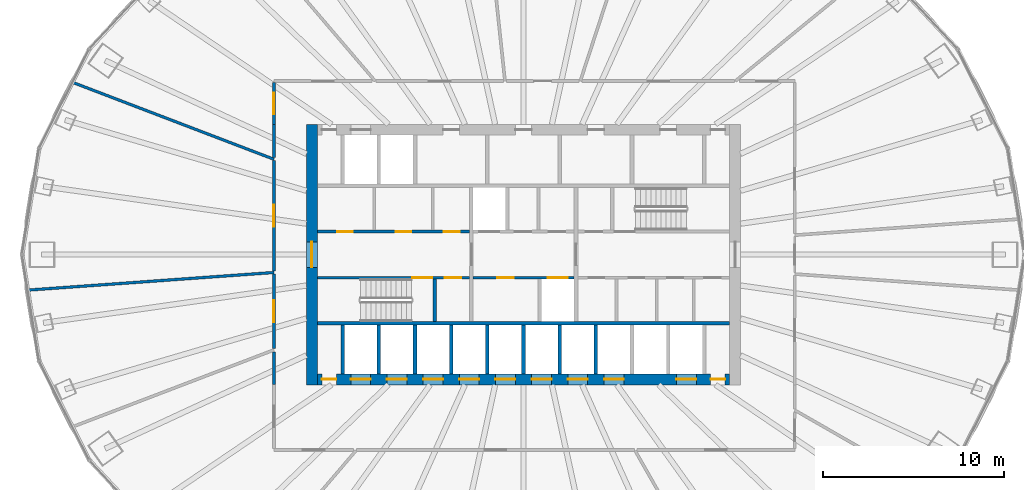
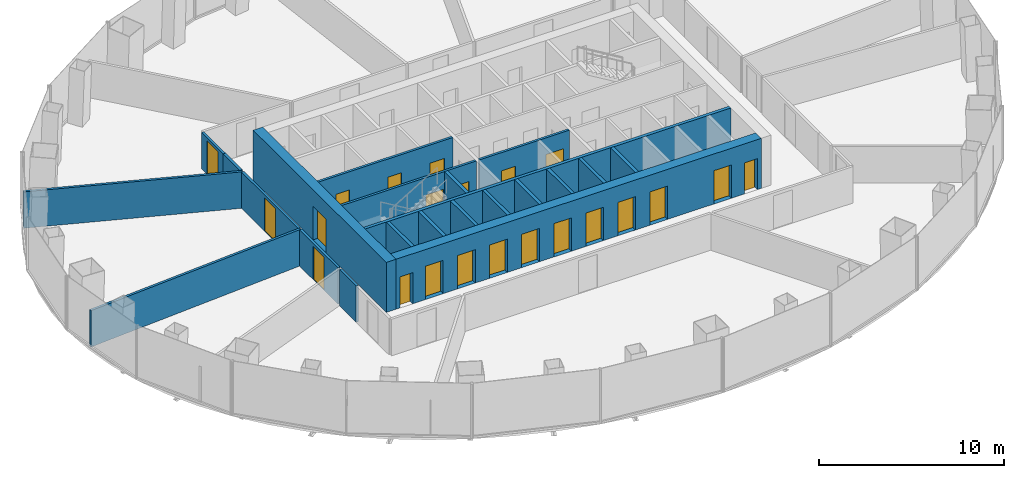
# One storey, part 8 of 11: 22 doors, 22 walls, 22 openings.
"""IFC4 building model written with IfcOpenShell, lengths in metres."""

from ifc_helpers import new_model, si_unit, direction, frame, frame_2d, origin, place, context, subcontext, project, spatial, rectangle, extrude, material, layer, layer_set, type_object, element, fill, save


model = new_model("IFC4")

# Units and contexts
model_context = context("Model", 3, precision=1e-05, world=origin(), true_north=direction((0.0, 1.0)))
body_context = subcontext(model_context, "Body", "Model", "MODEL_VIEW")
ifc_project = project(units=[si_unit("LENGTHUNIT", "METRE"), si_unit("AREAUNIT", "SQUARE_METRE"), si_unit("VOLUMEUNIT", "CUBIC_METRE"), si_unit("PLANEANGLEUNIT", "RADIAN"), si_unit("MASSUNIT", "GRAM", prefix="KILO")], contexts=[model_context])

# Site, building, storey
site_placement = place(None, origin())
site = spatial("IfcSite", under=ifc_project, at=site_placement, CompositionType="ELEMENT")
building_placement = place(site_placement, origin())
building = spatial("IfcBuilding", under=site, at=building_placement, Name="Siaravel Broadcast Tower", CompositionType="ELEMENT")
storey_placement = place(building_placement, frame((0.0, 0.0, 51.89990234375)))
storey = spatial("IfcBuildingStorey", under=building, at=storey_placement, Name="L11", CompositionType="ELEMENT", Elevation=51.89990234375)

# Wall, opening, door
ifc_material_1 = material(Name="Concrete C60/75", Category="concrete")
ifc_layer_1 = layer(ifc_material_1, 0.60009765625)
ifc_layer_set_1 = layer_set([ifc_layer_1], Name="Concrete C60/75")
wall_type_1 = type_object("IfcWallType", Name="Core wall 600", PredefinedType="SHEAR", material=ifc_layer_set_1)
wall_1_placement = place(storey_placement, frame((-11.699951171875, -7.199951171875, 0.0), z_axis=(0.0, 0.0, 1.0), x_axis=(0.0, 1.0, 0.0)))
wall_1 = element("IfcWall", 1, at=wall_1_placement, inside=storey, type_object=wall_type_1, Name="L11 core wall OW", PredefinedType="SHEAR", context=body_context, shape_type="SweptSolid", body=[
    extrude(rectangle(XDim=14.39990234375, YDim=0.60009765625, at=frame_2d((7.199951171875, 0.0))), origin(), (0.0, 0.0, 1.0), 3.300048828125),
])
opening_1_placement = place(wall_1_placement, frame((6.5, 0.0, 0.0)))
opening_1 = element("IfcOpeningElement", 2, at=opening_1_placement, cuts=wall_1, Name="Opening L11-DX-W", PredefinedType="OPENING", context=body_context, shape_type="SweptSolid", body=[
    extrude(rectangle(XDim=1.39990234375, YDim=2.199951171875, at=frame_2d((0.699951171875, 1.10009765625))), frame((0.0, 0.31005859375, 0.0), z_axis=(0.0, -1.0, 0.0), x_axis=(1.0, 0.0, 0.0)), (0.0, 0.0, 1.0), 0.6201171875),
])
ifc_material_2 = material(Name="Steel", Category="steel")
door_type_1 = type_object("IfcDoorType", Name="Core exit door 1400", OperationType="DOUBLE_DOOR_SINGLE_SWING", PredefinedType="DOOR", material=ifc_material_2)
door_1_placement = place(opening_1_placement, origin())
door_1 = element("IfcDoor", 3, at=door_1_placement, inside=storey, type_object=door_type_1, Name="L11 door DX-W", OperationType="DOUBLE_DOOR_SINGLE_SWING", OverallHeight=2.199951171875, OverallWidth=1.39990234375, PredefinedType="DOOR", context=body_context, shape_type="SweptSolid", body=[
    extrude(rectangle(XDim=1.39990234375, YDim=2.199951171875, at=frame_2d((0.699951171875, 1.10009765625))), frame((0.0, 0.02490234375, 0.0), z_axis=(0.0, -1.0, 0.0), x_axis=(1.0, 0.0, 0.0)), (0.0, 0.0, 1.0), 0.050048828125),
])
fill(opening_1, door_1)

# Wall, openings, doors
wall_2_placement = place(storey_placement, frame((-11.39990234375, -6.89990234375, 0.0), z_axis=(0.0, 0.0, 1.0), x_axis=(1.0, 0.0, 0.0)))
wall_2 = element("IfcWall", 4, at=wall_2_placement, inside=storey, type_object=wall_type_1, Name="L11 core wall OS", PredefinedType="SHEAR", context=body_context, shape_type="SweptSolid", body=[
    extrude(rectangle(XDim=22.7998046875, YDim=0.60009765625, at=frame_2d((11.39990234375, 0.0))), origin(), (0.0, 0.0, 1.0), 3.300048828125),
])
opening_2_placement = place(wall_2_placement, frame((1.85009765625, 0.0, 0.0)))
opening_2 = element("IfcOpeningElement", 5, at=opening_2_placement, cuts=wall_2, Name="Opening LD-LP1-L11", PredefinedType="OPENING", context=body_context, shape_type="SweptSolid", body=[
    extrude(rectangle(XDim=1.10009765625, YDim=2.199951171875, at=frame_2d((0.550048828125, 1.10009765625))), frame((0.0, 0.31005859375, 0.0), z_axis=(0.0, -1.0, 0.0), x_axis=(1.0, 0.0, 0.0)), (0.0, 0.0, 1.0), 0.6201171875),
])
opening_3_placement = place(wall_2_placement, frame((3.85009765625, 0.0, 0.0)))
opening_3 = element("IfcOpeningElement", 6, at=opening_3_placement, cuts=wall_2, Name="Opening LD-LP2-L11", PredefinedType="OPENING", context=body_context, shape_type="SweptSolid", body=[
    extrude(rectangle(XDim=1.10009765625, YDim=2.199951171875, at=frame_2d((0.550048828125, 1.10009765625))), frame((0.0, 0.31005859375, 0.0), z_axis=(0.0, -1.0, 0.0), x_axis=(1.0, 0.0, 0.0)), (0.0, 0.0, 1.0), 0.6201171875),
])
opening_4_placement = place(wall_2_placement, frame((5.85009765625, 0.0, 0.0)))
opening_4 = element("IfcOpeningElement", 7, at=opening_4_placement, cuts=wall_2, Name="Opening LD-LP3-L11", PredefinedType="OPENING", context=body_context, shape_type="SweptSolid", body=[
    extrude(rectangle(XDim=1.10009765625, YDim=2.199951171875, at=frame_2d((0.550048828125, 1.10009765625))), frame((0.0, 0.31005859375, 0.0), z_axis=(0.0, -1.0, 0.0), x_axis=(1.0, 0.0, 0.0)), (0.0, 0.0, 1.0), 0.6201171875),
])
opening_5_placement = place(wall_2_placement, frame((7.85009765625, 0.0, 0.0)))
opening_5 = element("IfcOpeningElement", 8, at=opening_5_placement, cuts=wall_2, Name="Opening LD-LP4-L11", PredefinedType="OPENING", context=body_context, shape_type="SweptSolid", body=[
    extrude(rectangle(XDim=1.10009765625, YDim=2.199951171875, at=frame_2d((0.550048828125, 1.10009765625))), frame((0.0, 0.31005859375, 0.0), z_axis=(0.0, -1.0, 0.0), x_axis=(1.0, 0.0, 0.0)), (0.0, 0.0, 1.0), 0.6201171875),
])
opening_6_placement = place(wall_2_placement, frame((9.85009765625, 0.0, 0.0)))
opening_6 = element("IfcOpeningElement", 9, at=opening_6_placement, cuts=wall_2, Name="Opening LD-LP5-L11", PredefinedType="OPENING", context=body_context, shape_type="SweptSolid", body=[
    extrude(rectangle(XDim=1.10009765625, YDim=2.199951171875, at=frame_2d((0.550048828125, 1.10009765625))), frame((0.0, 0.31005859375, 0.0), z_axis=(0.0, -1.0, 0.0), x_axis=(1.0, 0.0, 0.0)), (0.0, 0.0, 1.0), 0.6201171875),
])
opening_7_placement = place(wall_2_placement, frame((11.85009765625, 0.0, 0.0)))
opening_7 = element("IfcOpeningElement", 10, at=opening_7_placement, cuts=wall_2, Name="Opening LD-LP6-L11", PredefinedType="OPENING", context=body_context, shape_type="SweptSolid", body=[
    extrude(rectangle(XDim=1.10009765625, YDim=2.199951171875, at=frame_2d((0.550048828125, 1.10009765625))), frame((0.0, 0.31005859375, 0.0), z_axis=(0.0, -1.0, 0.0), x_axis=(1.0, 0.0, 0.0)), (0.0, 0.0, 1.0), 0.6201171875),
])
opening_8_placement = place(wall_2_placement, frame((13.85009765625, 0.0, 0.0)))
opening_8 = element("IfcOpeningElement", 11, at=opening_8_placement, cuts=wall_2, Name="Opening LD-LP7-L11", PredefinedType="OPENING", context=body_context, shape_type="SweptSolid", body=[
    extrude(rectangle(XDim=1.10009765625, YDim=2.199951171875, at=frame_2d((0.550048828125, 1.10009765625))), frame((0.0, 0.31005859375, 0.0), z_axis=(0.0, -1.0, 0.0), x_axis=(1.0, 0.0, 0.0)), (0.0, 0.0, 1.0), 0.6201171875),
])
opening_9_placement = place(wall_2_placement, frame((15.85009765625, 0.0, 0.0)))
opening_9 = element("IfcOpeningElement", 12, at=opening_9_placement, cuts=wall_2, Name="Opening LD-LP8-L11", PredefinedType="OPENING", context=body_context, shape_type="SweptSolid", body=[
    extrude(rectangle(XDim=1.10009765625, YDim=2.199951171875, at=frame_2d((0.550048828125, 1.10009765625))), frame((0.0, 0.31005859375, 0.0), z_axis=(0.0, -1.0, 0.0), x_axis=(1.0, 0.0, 0.0)), (0.0, 0.0, 1.0), 0.6201171875),
])
opening_10_placement = place(wall_2_placement, frame((19.85009765625, 0.0, 0.0)))
opening_10 = element("IfcOpeningElement", 13, at=opening_10_placement, cuts=wall_2, Name="Opening LD-SV1-L11", PredefinedType="OPENING", context=body_context, shape_type="SweptSolid", body=[
    extrude(rectangle(XDim=1.10009765625, YDim=2.199951171875, at=frame_2d((0.550048828125, 1.10009765625))), frame((0.0, 0.31005859375, 0.0), z_axis=(0.0, -1.0, 0.0), x_axis=(1.0, 0.0, 0.0)), (0.0, 0.0, 1.0), 0.6201171875),
])
opening_11_placement = place(wall_2_placement, frame((0.25, 0.0, 0.0)))
opening_11 = element("IfcOpeningElement", 14, at=opening_11_placement, cuts=wall_2, Name="Opening L11-DRSW", PredefinedType="OPENING", context=body_context, shape_type="SweptSolid", body=[
    extrude(rectangle(XDim=0.800048828125, YDim=2.050048828125, at=frame_2d((0.39990234375, 1.02490234375))), frame((0.0, 0.31005859375, 0.0), z_axis=(0.0, -1.0, 0.0), x_axis=(1.0, 0.0, 0.0)), (0.0, 0.0, 1.0), 0.6201171875),
])
opening_12_placement = place(wall_2_placement, frame((21.75, 0.0, 0.0)))
opening_12 = element("IfcOpeningElement", 15, at=opening_12_placement, cuts=wall_2, Name="Opening L11-DRSE", PredefinedType="OPENING", context=body_context, shape_type="SweptSolid", body=[
    extrude(rectangle(XDim=0.800048828125, YDim=2.050048828125, at=frame_2d((0.39990234375, 1.02490234375))), frame((0.0, 0.31005859375, 0.0), z_axis=(0.0, -1.0, 0.0), x_axis=(1.0, 0.0, 0.0)), (0.0, 0.0, 1.0), 0.6201171875),
])
ifc_material_3 = material(Name="Stainless steel 316L", Category="steel")
door_type_2 = type_object("IfcDoorType", Name="Lift landing door 1100", OperationType="DOUBLE_DOOR_SLIDING", PredefinedType="DOOR", material=ifc_material_3)
door_2_placement = place(opening_2_placement, origin())
door_2 = element("IfcDoor", 16, at=door_2_placement, inside=storey, type_object=door_type_2, Name="Landing door LP1 L11", OperationType="DOUBLE_DOOR_SLIDING", OverallHeight=2.199951171875, OverallWidth=1.10009765625, PredefinedType="DOOR", context=body_context, shape_type="SweptSolid", body=[
    extrude(rectangle(XDim=1.10009765625, YDim=2.199951171875, at=frame_2d((0.550048828125, 1.10009765625))), frame((0.0, 0.02490234375, 0.0), z_axis=(0.0, -1.0, 0.0), x_axis=(1.0, 0.0, 0.0)), (0.0, 0.0, 1.0), 0.050048828125),
])
fill(opening_2, door_2)
door_3_placement = place(opening_3_placement, origin())
door_3 = element("IfcDoor", 17, at=door_3_placement, inside=storey, type_object=door_type_2, Name="Landing door LP2 L11", OperationType="DOUBLE_DOOR_SLIDING", OverallHeight=2.199951171875, OverallWidth=1.10009765625, PredefinedType="DOOR", context=body_context, shape_type="SweptSolid", body=[
    extrude(rectangle(XDim=1.10009765625, YDim=2.199951171875, at=frame_2d((0.550048828125, 1.10009765625))), frame((0.0, 0.02490234375, 0.0), z_axis=(0.0, -1.0, 0.0), x_axis=(1.0, 0.0, 0.0)), (0.0, 0.0, 1.0), 0.050048828125),
])
fill(opening_3, door_3)
door_4_placement = place(opening_4_placement, origin())
door_4 = element("IfcDoor", 18, at=door_4_placement, inside=storey, type_object=door_type_2, Name="Landing door LP3 L11", OperationType="DOUBLE_DOOR_SLIDING", OverallHeight=2.199951171875, OverallWidth=1.10009765625, PredefinedType="DOOR", context=body_context, shape_type="SweptSolid", body=[
    extrude(rectangle(XDim=1.10009765625, YDim=2.199951171875, at=frame_2d((0.550048828125, 1.10009765625))), frame((0.0, 0.02490234375, 0.0), z_axis=(0.0, -1.0, 0.0), x_axis=(1.0, 0.0, 0.0)), (0.0, 0.0, 1.0), 0.050048828125),
])
fill(opening_4, door_4)
door_5_placement = place(opening_5_placement, origin())
door_5 = element("IfcDoor", 19, at=door_5_placement, inside=storey, type_object=door_type_2, Name="Landing door LP4 L11", OperationType="DOUBLE_DOOR_SLIDING", OverallHeight=2.199951171875, OverallWidth=1.10009765625, PredefinedType="DOOR", context=body_context, shape_type="SweptSolid", body=[
    extrude(rectangle(XDim=1.10009765625, YDim=2.199951171875, at=frame_2d((0.550048828125, 1.10009765625))), frame((0.0, 0.02490234375, 0.0), z_axis=(0.0, -1.0, 0.0), x_axis=(1.0, 0.0, 0.0)), (0.0, 0.0, 1.0), 0.050048828125),
])
fill(opening_5, door_5)
door_6_placement = place(opening_6_placement, origin())
door_6 = element("IfcDoor", 20, at=door_6_placement, inside=storey, type_object=door_type_2, Name="Landing door LP5 L11", OperationType="DOUBLE_DOOR_SLIDING", OverallHeight=2.199951171875, OverallWidth=1.10009765625, PredefinedType="DOOR", context=body_context, shape_type="SweptSolid", body=[
    extrude(rectangle(XDim=1.10009765625, YDim=2.199951171875, at=frame_2d((0.550048828125, 1.10009765625))), frame((0.0, 0.02490234375, 0.0), z_axis=(0.0, -1.0, 0.0), x_axis=(1.0, 0.0, 0.0)), (0.0, 0.0, 1.0), 0.050048828125),
])
fill(opening_6, door_6)
door_7_placement = place(opening_7_placement, origin())
door_7 = element("IfcDoor", 21, at=door_7_placement, inside=storey, type_object=door_type_2, Name="Landing door LP6 L11", OperationType="DOUBLE_DOOR_SLIDING", OverallHeight=2.199951171875, OverallWidth=1.10009765625, PredefinedType="DOOR", context=body_context, shape_type="SweptSolid", body=[
    extrude(rectangle(XDim=1.10009765625, YDim=2.199951171875, at=frame_2d((0.550048828125, 1.10009765625))), frame((0.0, 0.02490234375, 0.0), z_axis=(0.0, -1.0, 0.0), x_axis=(1.0, 0.0, 0.0)), (0.0, 0.0, 1.0), 0.050048828125),
])
fill(opening_7, door_7)
door_8_placement = place(opening_8_placement, origin())
door_8 = element("IfcDoor", 22, at=door_8_placement, inside=storey, type_object=door_type_2, Name="Landing door LP7 L11", OperationType="DOUBLE_DOOR_SLIDING", OverallHeight=2.199951171875, OverallWidth=1.10009765625, PredefinedType="DOOR", context=body_context, shape_type="SweptSolid", body=[
    extrude(rectangle(XDim=1.10009765625, YDim=2.199951171875, at=frame_2d((0.550048828125, 1.10009765625))), frame((0.0, 0.02490234375, 0.0), z_axis=(0.0, -1.0, 0.0), x_axis=(1.0, 0.0, 0.0)), (0.0, 0.0, 1.0), 0.050048828125),
])
fill(opening_8, door_8)
door_9_placement = place(opening_9_placement, origin())
door_9 = element("IfcDoor", 23, at=door_9_placement, inside=storey, type_object=door_type_2, Name="Landing door LP8 L11", OperationType="DOUBLE_DOOR_SLIDING", OverallHeight=2.199951171875, OverallWidth=1.10009765625, PredefinedType="DOOR", context=body_context, shape_type="SweptSolid", body=[
    extrude(rectangle(XDim=1.10009765625, YDim=2.199951171875, at=frame_2d((0.550048828125, 1.10009765625))), frame((0.0, 0.02490234375, 0.0), z_axis=(0.0, -1.0, 0.0), x_axis=(1.0, 0.0, 0.0)), (0.0, 0.0, 1.0), 0.050048828125),
])
fill(opening_9, door_9)
door_type_3 = type_object("IfcDoorType", Name="Riser door 800", OperationType="SINGLE_SWING_LEFT", PredefinedType="DOOR", material=ifc_material_2)
door_10_placement = place(opening_11_placement, origin())
door_10 = element("IfcDoor", 24, at=door_10_placement, inside=storey, type_object=door_type_3, Name="L11 door DRSW", OperationType="SINGLE_SWING_LEFT", OverallHeight=2.050048828125, OverallWidth=0.800048828125, PredefinedType="DOOR", context=body_context, shape_type="SweptSolid", body=[
    extrude(rectangle(XDim=0.800048828125, YDim=2.050048828125, at=frame_2d((0.39990234375, 1.02490234375))), frame((0.0, 0.02490234375, 0.0), z_axis=(0.0, -1.0, 0.0), x_axis=(1.0, 0.0, 0.0)), (0.0, 0.0, 1.0), 0.050048828125),
])
fill(opening_11, door_10)
door_11_placement = place(opening_12_placement, origin())
door_11 = element("IfcDoor", 25, at=door_11_placement, inside=storey, type_object=door_type_3, Name="L11 door DRSE", OperationType="SINGLE_SWING_LEFT", OverallHeight=2.050048828125, OverallWidth=0.800048828125, PredefinedType="DOOR", context=body_context, shape_type="SweptSolid", body=[
    extrude(rectangle(XDim=0.800048828125, YDim=2.050048828125, at=frame_2d((0.39990234375, 1.02490234375))), frame((0.0, 0.02490234375, 0.0), z_axis=(0.0, -1.0, 0.0), x_axis=(1.0, 0.0, 0.0)), (0.0, 0.0, 1.0), 0.050048828125),
])
fill(opening_12, door_11)
door_type_4 = type_object("IfcDoorType", Name="Service lift landing door 1100", OperationType="DOUBLE_DOOR_SLIDING", PredefinedType="DOOR", material=ifc_material_3)
door_12_placement = place(opening_10_placement, origin())
door_12 = element("IfcDoor", 26, at=door_12_placement, inside=storey, type_object=door_type_4, Name="Landing door SV1 L11", OperationType="DOUBLE_DOOR_SLIDING", OverallHeight=2.199951171875, OverallWidth=1.10009765625, PredefinedType="DOOR", context=body_context, shape_type="SweptSolid", body=[
    extrude(rectangle(XDim=1.10009765625, YDim=2.199951171875, at=frame_2d((0.550048828125, 1.10009765625))), frame((0.0, 0.02490234375, 0.0), z_axis=(0.0, -1.0, 0.0), x_axis=(1.0, 0.0, 0.0)), (0.0, 0.0, 1.0), 0.050048828125),
])
fill(opening_10, door_12)

ifc_material_4 = material(Name="Gypsum board partition", Category="gypsum")
ifc_layer_2 = layer(ifc_material_4, 0.14990234375)
ifc_layer_set_2 = layer_set([ifc_layer_2], Name="Gypsum board partition")
wall_type_2 = type_object("IfcWallType", Name="Corridor wall 150", PredefinedType="PARTITIONING", material=ifc_layer_set_2)
wall_3_placement = place(storey_placement, frame((-11.39990234375, 1.27490234375, 0.0), z_axis=(0.0, 0.0, 1.0), x_axis=(1.0, 0.0, 0.0)))
wall_3 = element("IfcWall", 27, at=wall_3_placement, inside=storey, type_object=wall_type_2, Name="L11 core partition CNW", PredefinedType="PARTITIONING", context=body_context, shape_type="SweptSolid", body=[
    extrude(rectangle(XDim=8.39990234375, YDim=0.14990234375, at=frame_2d((4.199951171875, 0.0))), origin(), (0.0, 0.0, 1.0), 3.300048828125),
])
opening_13_placement = place(wall_3_placement, frame((1.114013671875, 0.0, 0.0)))
opening_13 = element("IfcOpeningElement", 28, at=opening_13_placement, cuts=wall_3, Name="Opening L11-DNW0", PredefinedType="OPENING", context=body_context, shape_type="SweptSolid", body=[
    extrude(rectangle(XDim=0.85009765625, YDim=2.10009765625, at=frame_2d((0.425048828125, 1.050048828125))), frame((0.0, 0.0849609375, 0.0), z_axis=(0.0, -1.0, 0.0), x_axis=(1.0, 0.0, 0.0)), (0.0, 0.0, 1.0), 0.169921875),
])
opening_14_placement = place(wall_3_placement, frame((4.342041015625, 0.0, 0.0)))
opening_14 = element("IfcOpeningElement", 29, at=opening_14_placement, cuts=wall_3, Name="Opening L11-DNW1", PredefinedType="OPENING", context=body_context, shape_type="SweptSolid", body=[
    extrude(rectangle(XDim=0.85009765625, YDim=2.10009765625, at=frame_2d((0.425048828125, 1.050048828125))), frame((0.0, 0.0849609375, 0.0), z_axis=(0.0, -1.0, 0.0), x_axis=(1.0, 0.0, 0.0)), (0.0, 0.0, 1.0), 0.169921875),
])
opening_15_placement = place(wall_3_placement, frame((6.97802734375, 0.0, 0.0)))
opening_15 = element("IfcOpeningElement", 30, at=opening_15_placement, cuts=wall_3, Name="Opening L11-DNW2", PredefinedType="OPENING", context=body_context, shape_type="SweptSolid", body=[
    extrude(rectangle(XDim=0.89990234375, YDim=2.10009765625, at=frame_2d((0.449951171875, 1.050048828125))), frame((0.0, 0.0849609375, 0.0), z_axis=(0.0, -1.0, 0.0), x_axis=(1.0, 0.0, 0.0)), (0.0, 0.0, 1.0), 0.169921875),
])
ifc_material_5 = material(Name="Timber veneer", Category="wood")
door_type_5 = type_object("IfcDoorType", Name="Core room door 900", OperationType="SINGLE_SWING_LEFT", PredefinedType="DOOR", material=ifc_material_5)
door_13_placement = place(opening_15_placement, origin())
door_13 = element("IfcDoor", 31, at=door_13_placement, inside=storey, type_object=door_type_5, Name="L11 door DNW2", OperationType="SINGLE_SWING_LEFT", OverallHeight=2.10009765625, OverallWidth=0.89990234375, PredefinedType="DOOR", context=body_context, shape_type="SweptSolid", body=[
    extrude(rectangle(XDim=0.89990234375, YDim=2.10009765625, at=frame_2d((0.449951171875, 1.050048828125))), frame((0.0, 0.02490234375, 0.0), z_axis=(0.0, -1.0, 0.0), x_axis=(1.0, 0.0, 0.0)), (0.0, 0.0, 1.0), 0.050048828125),
])
fill(opening_15, door_13)
door_type_6 = type_object("IfcDoorType", Name="Core toilet door 850", OperationType="SINGLE_SWING_LEFT", PredefinedType="DOOR", material=ifc_material_5)
door_14_placement = place(opening_13_placement, origin())
door_14 = element("IfcDoor", 32, at=door_14_placement, inside=storey, type_object=door_type_6, Name="L11 door DNW0", OperationType="SINGLE_SWING_LEFT", OverallHeight=2.10009765625, OverallWidth=0.85009765625, PredefinedType="DOOR", context=body_context, shape_type="SweptSolid", body=[
    extrude(rectangle(XDim=0.85009765625, YDim=2.10009765625, at=frame_2d((0.425048828125, 1.050048828125))), frame((0.0, 0.02490234375, 0.0), z_axis=(0.0, -1.0, 0.0), x_axis=(1.0, 0.0, 0.0)), (0.0, 0.0, 1.0), 0.050048828125),
])
fill(opening_13, door_14)
door_15_placement = place(opening_14_placement, origin())
door_15 = element("IfcDoor", 33, at=door_15_placement, inside=storey, type_object=door_type_6, Name="L11 door DNW1", OperationType="SINGLE_SWING_LEFT", OverallHeight=2.10009765625, OverallWidth=0.85009765625, PredefinedType="DOOR", context=body_context, shape_type="SweptSolid", body=[
    extrude(rectangle(XDim=0.85009765625, YDim=2.10009765625, at=frame_2d((0.425048828125, 1.050048828125))), frame((0.0, 0.02490234375, 0.0), z_axis=(0.0, -1.0, 0.0), x_axis=(1.0, 0.0, 0.0)), (0.0, 0.0, 1.0), 0.050048828125),
])
fill(opening_14, door_15)

# Wall, opening, door
wall_4_placement = place(storey_placement, frame((-13.800048828125, 5.198974609375, 0.0), z_axis=(0.0, 0.0, 1.0), x_axis=(0.0, -1.0, 0.0)))
wall_4 = element("IfcWall", 34, at=wall_4_placement, inside=storey, type_object=wall_type_2, Name="L11 partition 17", PredefinedType="PARTITIONING", context=body_context, shape_type="SweptSolid", body=[
    extrude(rectangle(XDim=6.111083984375, YDim=0.14990234375, at=frame_2d((3.0556640625, 0.0))), origin(), (0.0, 0.0, 1.0), 2.400146484375),
])
opening_16_placement = place(wall_4_placement, frame((2.45556640625, 0.0, 0.0)))
opening_16 = element("IfcOpeningElement", 35, at=opening_16_placement, cuts=wall_4, Name="Opening L11-008", PredefinedType="OPENING", context=body_context, shape_type="SweptSolid", body=[
    extrude(rectangle(XDim=1.199951171875, YDim=2.199951171875, at=frame_2d((0.60009765625, 1.10009765625))), frame((0.0, 0.0849609375, 0.0), z_axis=(0.0, -1.0, 0.0), x_axis=(1.0, 0.0, 0.0)), (0.0, 0.0, 1.0), 0.169921875),
])
door_type_7 = type_object("IfcDoorType", Name="Office double door 1200", OperationType="DOUBLE_DOOR_SINGLE_SWING", PredefinedType="DOOR", material=ifc_material_5)
door_16_placement = place(opening_16_placement, origin())
door_16 = element("IfcDoor", 36, at=door_16_placement, inside=storey, type_object=door_type_7, Name="L11 door to Newsroom desk office", OperationType="DOUBLE_DOOR_SINGLE_SWING", OverallHeight=2.199951171875, OverallWidth=1.199951171875, PredefinedType="DOOR", context=body_context, shape_type="SweptSolid", body=[
    extrude(rectangle(XDim=1.199951171875, YDim=2.199951171875, at=frame_2d((0.60009765625, 1.10009765625))), frame((0.0, 0.02490234375, 0.0), z_axis=(0.0, -1.0, 0.0), x_axis=(1.0, 0.0, 0.0)), (0.0, 0.0, 1.0), 0.050048828125),
])
fill(opening_16, door_16)

wall_5_placement = place(storey_placement, frame((-13.800048828125, -1.071533203125, 0.0), z_axis=(0.0, 0.0, 1.0), x_axis=(0.0, -1.0, 0.0)))
wall_5 = element("IfcWall", 37, at=wall_5_placement, inside=storey, type_object=wall_type_2, Name="L11 partition 22", PredefinedType="PARTITIONING", context=body_context, shape_type="SweptSolid", body=[
    extrude(rectangle(XDim=4.12744140625, YDim=0.14990234375, at=frame_2d((2.063720703125, 0.0))), origin(), (0.0, 0.0, 1.0), 2.400146484375),
])
opening_17_placement = place(wall_5_placement, frame((1.463623046875, 0.0, 0.0)))
opening_17 = element("IfcOpeningElement", 38, at=opening_17_placement, cuts=wall_5, Name="Opening L11-009", PredefinedType="OPENING", context=body_context, shape_type="SweptSolid", body=[
    extrude(rectangle(XDim=1.199951171875, YDim=2.199951171875, at=frame_2d((0.60009765625, 1.10009765625))), frame((0.0, 0.0849609375, 0.0), z_axis=(0.0, -1.0, 0.0), x_axis=(1.0, 0.0, 0.0)), (0.0, 0.0, 1.0), 0.169921875),
])
door_17_placement = place(opening_17_placement, origin())
door_17 = element("IfcDoor", 39, at=door_17_placement, inside=storey, type_object=door_type_7, Name="L11 door to Newsroom desk office", OperationType="DOUBLE_DOOR_SINGLE_SWING", OverallHeight=2.199951171875, OverallWidth=1.199951171875, PredefinedType="DOOR", context=body_context, shape_type="SweptSolid", body=[
    extrude(rectangle(XDim=1.199951171875, YDim=2.199951171875, at=frame_2d((0.60009765625, 1.10009765625))), frame((0.0, 0.02490234375, 0.0), z_axis=(0.0, -1.0, 0.0), x_axis=(1.0, 0.0, 0.0)), (0.0, 0.0, 1.0), 0.050048828125),
])
fill(opening_17, door_17)

wall_6_placement = place(storey_placement, frame((-13.800048828125, 9.52294921875, 0.0), z_axis=(0.0, 0.0, 1.0), x_axis=(0.0, -1.0, 0.0)))
wall_6 = element("IfcWall", 40, at=wall_6_placement, inside=storey, type_object=wall_type_2, Name="L11 partition 26", PredefinedType="PARTITIONING", context=body_context, shape_type="SweptSolid", body=[
    extrude(rectangle(XDim=2.3349609375, YDim=0.14990234375, at=frame_2d((1.16748046875, 0.0))), origin(), (0.0, 0.0, 1.0), 2.400146484375),
])
opening_18_placement = place(wall_6_placement, frame((0.5673828125, 0.0, 0.0)))
opening_18 = element("IfcOpeningElement", 41, at=opening_18_placement, cuts=wall_6, Name="Opening L11-007", PredefinedType="OPENING", context=body_context, shape_type="SweptSolid", body=[
    extrude(rectangle(XDim=1.199951171875, YDim=2.199951171875, at=frame_2d((0.60009765625, 1.10009765625))), frame((0.0, 0.0849609375, 0.0), z_axis=(0.0, -1.0, 0.0), x_axis=(1.0, 0.0, 0.0)), (0.0, 0.0, 1.0), 0.169921875),
])
door_18_placement = place(opening_18_placement, origin())
door_18 = element("IfcDoor", 42, at=door_18_placement, inside=storey, type_object=door_type_7, Name="L11 door to Open plan newsroom", OperationType="DOUBLE_DOOR_SINGLE_SWING", OverallHeight=2.199951171875, OverallWidth=1.199951171875, PredefinedType="DOOR", context=body_context, shape_type="SweptSolid", body=[
    extrude(rectangle(XDim=1.199951171875, YDim=2.199951171875, at=frame_2d((0.60009765625, 1.10009765625))), frame((0.0, 0.02490234375, 0.0), z_axis=(0.0, -1.0, 0.0), x_axis=(1.0, 0.0, 0.0)), (0.0, 0.0, 1.0), 0.050048828125),
])
fill(opening_18, door_18)

# Walls
for number, where, z_axis, x_axis, name in (
    (43, (-13.800048828125, -5.382080078125, 0.0), (0.0, 0.0, 1.0), (0.0, -1.0, 0.0), "L11 partition 30"),
    (44, (-13.800048828125, 7.18701171875, 0.0), (0.0, 0.0, 1.0), (0.0, -1.0, 0.0), "L11 partition 31"),
):
    element("IfcWall", number, at=place(storey_placement, frame(where, z_axis=z_axis, x_axis=x_axis)), inside=storey, type_object=wall_type_2, Name=name, PredefinedType="PARTITIONING", context=body_context, shape_type="SweptSolid", body=[
        extrude(rectangle(XDim=1.804931640625, YDim=0.14990234375, at=frame_2d((0.90234375, 0.0))), origin(), (0.0, 0.0, 1.0), 2.400146484375),
    ])
ifc_layer_3 = layer(ifc_material_4, 0.14990234375)
ifc_layer_set_3 = layer_set([ifc_layer_3], Name="Gypsum board partition")
wall_type_3 = type_object("IfcWallType", Name="Room partition 150", PredefinedType="PARTITIONING", material=ifc_layer_set_3)
wall_7_placement = place(storey_placement, frame((-27.45654296875, -1.967529296875, 0.0), z_axis=(0.0, 0.0, 1.0), x_axis=(0.997442835, 0.071468811, 0.0)))
element("IfcWall", 45, at=wall_7_placement, inside=storey, type_object=wall_type_3, Name="L11 partition 2", PredefinedType="PARTITIONING", context=body_context, shape_type="SweptSolid", body=[
    extrude(rectangle(XDim=13.69140625, YDim=0.14990234375, at=frame_2d((6.845703125, 0.0))), origin(), (0.0, 0.0, 1.0), 2.400146484375),
])
wall_8_placement = place(storey_placement, frame((-24.9755859375, 9.539794921875, 0.0), z_axis=(0.0, 0.0, 1.0), x_axis=(0.934168918, -0.356831098, 0.0)))
element("IfcWall", 46, at=wall_8_placement, inside=storey, type_object=wall_type_3, Name="L11 partition 7", PredefinedType="PARTITIONING", context=body_context, shape_type="SweptSolid", body=[
    extrude(rectangle(XDim=11.963134765625, YDim=0.14990234375, at=frame_2d((5.9814453125, 0.0))), origin(), (0.0, 0.0, 1.0), 2.400146484375),
])

# Wall, openings, doors
ifc_layer_4 = layer(ifc_material_1, 0.14990234375)
ifc_layer_set_4 = layer_set([ifc_layer_4], Name="Concrete C60/75")
wall_type_4 = type_object("IfcWallType", Name="Shaft wall 150", PredefinedType="SHEAR", material=ifc_layer_set_4)
wall_9_placement = place(storey_placement, frame((-11.39990234375, -1.27490234375, 0.0), z_axis=(0.0, 0.0, 1.0), x_axis=(1.0, 0.0, 0.0)))
wall_9 = element("IfcWall", 47, at=wall_9_placement, inside=storey, type_object=wall_type_4, Name="L11 core wall CSW", PredefinedType="SHEAR", context=body_context, shape_type="SweptSolid", body=[
    extrude(rectangle(XDim=8.39990234375, YDim=0.14990234375, at=frame_2d((4.199951171875, 0.0))), origin(), (0.0, 0.0, 1.0), 3.300048828125),
])
opening_19_placement = place(wall_9_placement, frame((5.25, 0.0, 0.0)))
opening_19 = element("IfcOpeningElement", 48, at=opening_19_placement, cuts=wall_9, Name="Opening L11-DS-1", PredefinedType="OPENING", context=body_context, shape_type="SweptSolid", body=[
    extrude(rectangle(XDim=1.10009765625, YDim=2.14990234375, at=frame_2d((0.550048828125, 1.074951171875))), frame((0.0, 0.0849609375, 0.0), z_axis=(0.0, -1.0, 0.0), x_axis=(1.0, 0.0, 0.0)), (0.0, 0.0, 1.0), 0.169921875),
])
opening_20_placement = place(wall_9_placement, frame((7.050048828125, 0.0, 0.0)))
opening_20 = element("IfcOpeningElement", 49, at=opening_20_placement, cuts=wall_9, Name="Opening L11-DSW0", PredefinedType="OPENING", context=body_context, shape_type="SweptSolid", body=[
    extrude(rectangle(XDim=0.89990234375, YDim=2.10009765625, at=frame_2d((0.449951171875, 1.050048828125))), frame((0.0, 0.0849609375, 0.0), z_axis=(0.0, -1.0, 0.0), x_axis=(1.0, 0.0, 0.0)), (0.0, 0.0, 1.0), 0.169921875),
])
door_19_placement = place(opening_20_placement, origin())
door_19 = element("IfcDoor", 50, at=door_19_placement, inside=storey, type_object=door_type_5, Name="L11 door DSW0", OperationType="SINGLE_SWING_LEFT", OverallHeight=2.10009765625, OverallWidth=0.89990234375, PredefinedType="DOOR", context=body_context, shape_type="SweptSolid", body=[
    extrude(rectangle(XDim=0.89990234375, YDim=2.10009765625, at=frame_2d((0.449951171875, 1.050048828125))), frame((0.0, 0.02490234375, 0.0), z_axis=(0.0, -1.0, 0.0), x_axis=(1.0, 0.0, 0.0)), (0.0, 0.0, 1.0), 0.050048828125),
])
fill(opening_20, door_19)
door_type_8 = type_object("IfcDoorType", Name="Stair door 1100", OperationType="SINGLE_SWING_LEFT", PredefinedType="DOOR", material=ifc_material_2)
door_20_placement = place(opening_19_placement, origin())
door_20 = element("IfcDoor", 51, at=door_20_placement, inside=storey, type_object=door_type_8, Name="L11 door DS-1", OperationType="SINGLE_SWING_LEFT", OverallHeight=2.14990234375, OverallWidth=1.10009765625, PredefinedType="DOOR", context=body_context, shape_type="SweptSolid", body=[
    extrude(rectangle(XDim=1.10009765625, YDim=2.14990234375, at=frame_2d((0.550048828125, 1.074951171875))), frame((0.0, 0.02490234375, 0.0), z_axis=(0.0, -1.0, 0.0), x_axis=(1.0, 0.0, 0.0)), (0.0, 0.0, 1.0), 0.050048828125),
])
fill(opening_19, door_20)

wall_10_placement = place(storey_placement, frame((-2.800048828125, -1.27490234375, 0.0), z_axis=(0.0, 0.0, 1.0), x_axis=(1.0, 0.0, 0.0)))
wall_10 = element("IfcWall", 52, at=wall_10_placement, inside=storey, type_object=wall_type_4, Name="L11 core wall CSM", PredefinedType="SHEAR", context=body_context, shape_type="SweptSolid", body=[
    extrude(rectangle(XDim=5.60009765625, YDim=0.14990234375, at=frame_2d((2.800048828125, 0.0))), origin(), (0.0, 0.0, 1.0), 3.300048828125),
])
opening_21_placement = place(wall_10_placement, frame((4.14990234375, 0.0, 0.0)))
opening_21 = element("IfcOpeningElement", 53, at=opening_21_placement, cuts=wall_10, Name="Opening LD-FL2-L11", PredefinedType="OPENING", context=body_context, shape_type="SweptSolid", body=[
    extrude(rectangle(XDim=1.10009765625, YDim=2.199951171875, at=frame_2d((0.550048828125, 1.10009765625))), frame((0.0, 0.0849609375, 0.0), z_axis=(0.0, -1.0, 0.0), x_axis=(1.0, 0.0, 0.0)), (0.0, 0.0, 1.0), 0.169921875),
])
opening_22_placement = place(wall_10_placement, frame((1.35009765625, 0.0, 0.0)))
opening_22 = element("IfcOpeningElement", 54, at=opening_22_placement, cuts=wall_10, Name="Opening L11-DSM0", PredefinedType="OPENING", context=body_context, shape_type="SweptSolid", body=[
    extrude(rectangle(XDim=0.89990234375, YDim=2.10009765625, at=frame_2d((0.449951171875, 1.050048828125))), frame((0.0, 0.0849609375, 0.0), z_axis=(0.0, -1.0, 0.0), x_axis=(1.0, 0.0, 0.0)), (0.0, 0.0, 1.0), 0.169921875),
])
door_21_placement = place(opening_22_placement, origin())
door_21 = element("IfcDoor", 55, at=door_21_placement, inside=storey, type_object=door_type_5, Name="L11 door DSM0", OperationType="SINGLE_SWING_LEFT", OverallHeight=2.10009765625, OverallWidth=0.89990234375, PredefinedType="DOOR", context=body_context, shape_type="SweptSolid", body=[
    extrude(rectangle(XDim=0.89990234375, YDim=2.10009765625, at=frame_2d((0.449951171875, 1.050048828125))), frame((0.0, 0.02490234375, 0.0), z_axis=(0.0, -1.0, 0.0), x_axis=(1.0, 0.0, 0.0)), (0.0, 0.0, 1.0), 0.050048828125),
])
fill(opening_22, door_21)
door_type_9 = type_object("IfcDoorType", Name="Firefighting lift landing door 1100", OperationType="DOUBLE_DOOR_SLIDING", PredefinedType="DOOR", material=ifc_material_3)
door_22_placement = place(opening_21_placement, origin())
door_22 = element("IfcDoor", 56, at=door_22_placement, inside=storey, type_object=door_type_9, Name="Landing door FL2 L11", OperationType="DOUBLE_DOOR_SLIDING", OverallHeight=2.199951171875, OverallWidth=1.10009765625, PredefinedType="DOOR", context=body_context, shape_type="SweptSolid", body=[
    extrude(rectangle(XDim=1.10009765625, YDim=2.199951171875, at=frame_2d((0.550048828125, 1.10009765625))), frame((0.0, 0.02490234375, 0.0), z_axis=(0.0, -1.0, 0.0), x_axis=(1.0, 0.0, 0.0)), (0.0, 0.0, 1.0), 0.050048828125),
])
fill(opening_21, door_22)

# Walls
ifc_layer_5 = layer(ifc_material_1, 0.199951171875)
ifc_layer_set_5 = layer_set([ifc_layer_5], Name="Concrete C60/75")
wall_type_5 = type_object("IfcWallType", Name="Shaft wall 200", PredefinedType="SHEAR", material=ifc_layer_set_5)
wall_11_placement = place(storey_placement, frame((-11.39990234375, -3.800048828125, 0.0), z_axis=(0.0, 0.0, 1.0), x_axis=(1.0, 0.0, 0.0)))
element("IfcWall", 57, at=wall_11_placement, inside=storey, type_object=wall_type_5, Name="L11 core wall BS", PredefinedType="SHEAR", context=body_context, shape_type="SweptSolid", body=[
    extrude(rectangle(XDim=22.7998046875, YDim=0.199951171875, at=frame_2d((11.39990234375, 0.0))), origin(), (0.0, 0.0, 1.0), 3.300048828125),
])
for number, where, z_axis, x_axis, name in (
    (58, (-10.0, -6.60009765625, 0.0), (0.0, 0.0, 1.0), (0.0, 1.0, 0.0), "L11 core wall SWS0"),
    (59, (-8.0, -6.60009765625, 0.0), (0.0, 0.0, 1.0), (0.0, 1.0, 0.0), "L11 core wall SWS1"),
    (60, (-6.0, -6.60009765625, 0.0), (0.0, 0.0, 1.0), (0.0, 1.0, 0.0), "L11 core wall SWS2"),
    (61, (-4.0, -6.60009765625, 0.0), (0.0, 0.0, 1.0), (0.0, 1.0, 0.0), "L11 core wall SWS3"),
    (62, (-2.0, -6.60009765625, 0.0), (0.0, 0.0, 1.0), (0.0, 1.0, 0.0), "L11 core wall SWS4"),
    (63, (0.0, -6.60009765625, 0.0), (0.0, 0.0, 1.0), (0.0, 1.0, 0.0), "L11 core wall SWS5"),
    (64, (2.0, -6.60009765625, 0.0), (0.0, 0.0, 1.0), (0.0, 1.0, 0.0), "L11 core wall SWS6"),
    (65, (4.0, -6.60009765625, 0.0), (0.0, 0.0, 1.0), (0.0, 1.0, 0.0), "L11 core wall SWS7"),
):
    element("IfcWall", number, at=place(storey_placement, frame(where, z_axis=z_axis, x_axis=x_axis)), inside=storey, type_object=wall_type_5, Name=name, PredefinedType="SHEAR", context=body_context, shape_type="SweptSolid", body=[
        extrude(rectangle(XDim=2.7001953125, YDim=0.199951171875, at=frame_2d((1.35009765625, 0.0))), origin(), (0.0, 0.0, 1.0), 3.300048828125),
    ])
wall_12_placement = place(storey_placement, frame((-4.89990234375, -3.699951171875, 0.0), z_axis=(0.0, 0.0, 1.0), x_axis=(0.0, 1.0, 0.0)))
element("IfcWall", 66, at=wall_12_placement, inside=storey, type_object=wall_type_5, Name="L11 core wall ST1E", PredefinedType="SHEAR", context=body_context, shape_type="SweptSolid", body=[
    extrude(rectangle(XDim=2.349853515625, YDim=0.199951171875, at=frame_2d((1.1748046875, 0.0))), origin(), (0.0, 0.0, 1.0), 3.300048828125),
])

save(model, "model.ifc")
